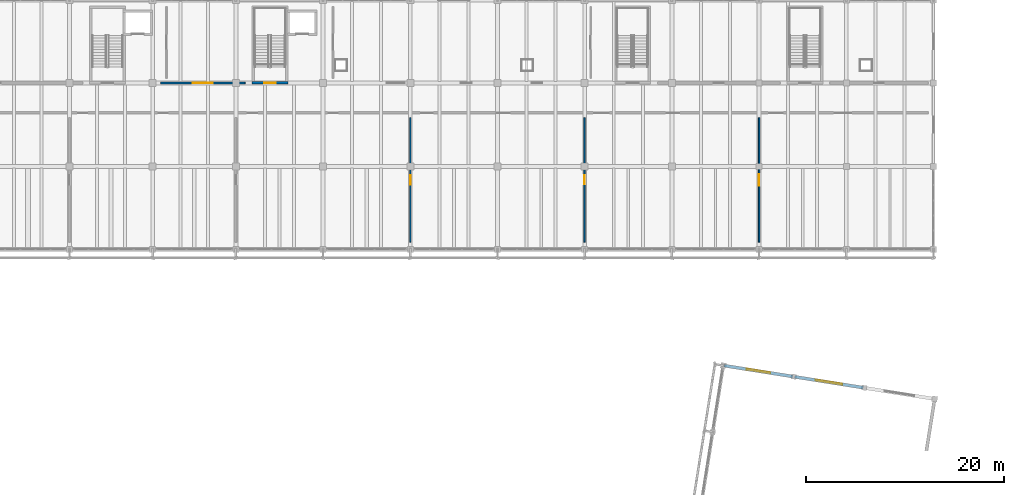
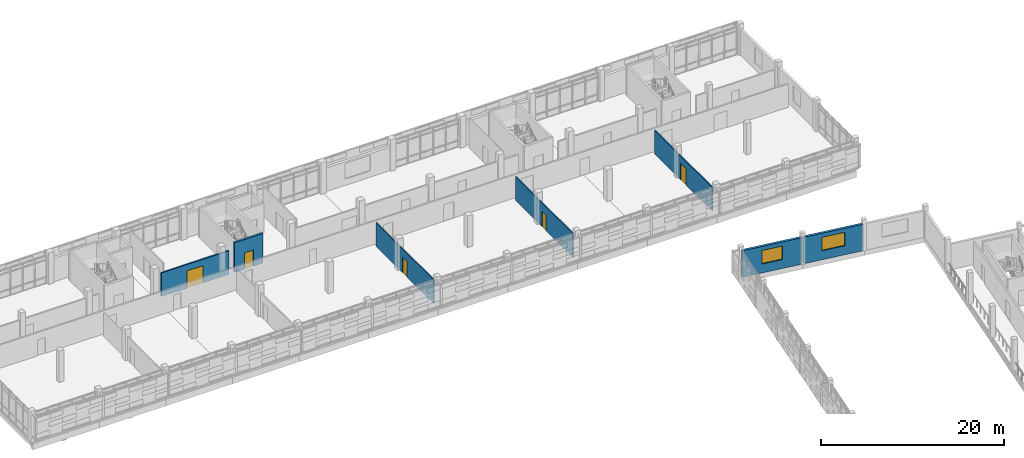
# One storey, part 110 of 137: 7 walls, 5 doors, 2 windows, 7 openings.
"""IFC4 building model written with IfcOpenShell, lengths in metres."""

from ifc_helpers import new_model, si_unit, direction, frame, frame_2d, origin, place, context, subcontext, project, spatial, rectangle, extrude, material, layer, layer_set, type_object, element, fill, save


model = new_model("IFC4")

# Units and contexts
model_context = context("Model", 3, precision=1e-05, world=origin(), true_north=direction((0.0, 1.0)))
body_context = subcontext(model_context, "Body", "Model", "MODEL_VIEW")
ifc_project = project(units=[si_unit("LENGTHUNIT", "METRE"), si_unit("AREAUNIT", "SQUARE_METRE"), si_unit("VOLUMEUNIT", "CUBIC_METRE"), si_unit("PLANEANGLEUNIT", "RADIAN"), si_unit("MASSUNIT", "GRAM", prefix="KILO")], contexts=[model_context])

# Site, building, storey
site_placement = place(None, origin())
site = spatial("IfcSite", under=ifc_project, at=site_placement, CompositionType="ELEMENT")
building_placement = place(site_placement, origin())
building = spatial("IfcBuilding", under=site, at=building_placement, Name="Cinderway Yard Community Centre", CompositionType="ELEMENT")
storey_placement = place(building_placement, frame((0.0, 0.0, 4.800048828125)))
storey = spatial("IfcBuildingStorey", under=building, at=storey_placement, Name="L01", CompositionType="ELEMENT", Elevation=4.800048828125)

# Wall, opening, window
ifc_material_1 = material(Name="Brick Masonry", Category="masonry")
ifc_layer_1 = layer(ifc_material_1, 0.300048828125, Name="Brick Masonry")
ifc_layer_set_1 = layer_set([ifc_layer_1], Name="Brick Masonry")
wall_type_1 = type_object("IfcWallType", Name="ENV-WAL-EXT300", PredefinedType="SOLIDWALL", material=ifc_layer_set_1)
wall_1_placement = place(storey_placement, frame((124.48095703125, 78.281982421875, 0.0), z_axis=(0.0, 0.0, 1.0), x_axis=(0.987690751091, -0.156419245009, 0.0)))
wall_1 = element("IfcWall", 1, at=wall_1_placement, inside=storey, type_object=wall_type_1, Name="Sports North End Wall ENV-WAL-L01-0067", PredefinedType="SOLIDWALL", context=body_context, shape_type="SweptSolid", body=[
    extrude(rectangle(XDim=7.000244140625, YDim=0.300048828125, at=frame_2d((3.5, 0.0))), origin(), (0.0, 0.0, 1.0), 3.534912109375),
])
opening_1_placement = place(wall_1_placement, frame((2.300048828125, 0.0, 1.199951171875)))
opening_1 = element("IfcOpeningElement", 2, at=opening_1_placement, cuts=wall_1, Name="Opening W-10", PredefinedType="OPENING", context=body_context, shape_type="SweptSolid", body=[
    extrude(rectangle(XDim=2.39990234375, YDim=1.800048828125, at=frame_2d((1.199951171875, 0.89990234375))), frame((0.0, 0.159912109375, 0.0), z_axis=(0.0, -1.0, 0.0), x_axis=(1.0, 0.0, 0.0)), (0.0, 0.0, 1.0), 0.320068359375),
])
ifc_material_2 = material(Name="Laminated Low-E Glass", Category="glass")
window_type_1 = type_object("IfcWindowType", Name="ENV-WIN-W10", PartitioningType="TRIPLE_PANEL_VERTICAL", PredefinedType="WINDOW", material=ifc_material_2)
window_1_placement = place(opening_1_placement, origin())
window_1 = element("IfcWindow", 3, at=window_1_placement, inside=storey, type_object=window_type_1, Name="Exterior window ENV-WIN-L01-0047", OverallHeight=1.800048828125, OverallWidth=2.39990234375, PartitioningType="SINGLE_PANEL", PredefinedType="WINDOW", context=body_context, shape_type="SweptSolid", body=[
    extrude(rectangle(XDim=2.39990234375, YDim=1.800048828125, at=frame_2d((1.199951171875, 0.89990234375))), frame((0.0, 0.030029296875, 0.0), z_axis=(0.0, -1.0, 0.0), x_axis=(1.0, 0.0, 0.0)), (0.0, 0.0, 1.0), 0.06005859375),
])
fill(opening_1, window_1)

wall_2_placement = place(storey_placement, frame((131.593017578125, 77.156005859375, 0.0), z_axis=(0.0, 0.0, 1.0), x_axis=(0.987687337136, -0.156440800503, 0.0)))
wall_2 = element("IfcWall", 4, at=wall_2_placement, inside=storey, type_object=wall_type_1, Name="Sports North End Wall ENV-WAL-L01-0068", PredefinedType="SOLIDWALL", context=body_context, shape_type="SweptSolid", body=[
    extrude(rectangle(XDim=6.999267578125, YDim=0.300048828125, at=frame_2d((3.49951171875, 0.0))), origin(), (0.0, 0.0, 1.0), 3.534912109375),
])
opening_2_placement = place(wall_2_placement, frame((2.14990234375, 0.0, 1.199951171875)))
opening_2 = element("IfcOpeningElement", 5, at=opening_2_placement, cuts=wall_2, Name="Opening W-11", PredefinedType="OPENING", context=body_context, shape_type="SweptSolid", body=[
    extrude(rectangle(XDim=2.699951171875, YDim=1.800048828125, at=frame_2d((1.35009765625, 0.89990234375))), frame((0.0, 0.159912109375, 0.0), z_axis=(0.0, -1.0, 0.0), x_axis=(1.0, 0.0, 0.0)), (0.0, 0.0, 1.0), 0.320068359375),
])
window_type_2 = type_object("IfcWindowType", Name="ENV-WIN-W11", PartitioningType="TRIPLE_PANEL_VERTICAL", PredefinedType="WINDOW", material=ifc_material_2)
window_2_placement = place(opening_2_placement, origin())
window_2 = element("IfcWindow", 6, at=window_2_placement, inside=storey, type_object=window_type_2, Name="Exterior window ENV-WIN-L01-0048", OverallHeight=1.800048828125, OverallWidth=2.699951171875, PartitioningType="SINGLE_PANEL", PredefinedType="WINDOW", context=body_context, shape_type="SweptSolid", body=[
    extrude(rectangle(XDim=2.699951171875, YDim=1.800048828125, at=frame_2d((1.35009765625, 0.89990234375))), frame((0.0, 0.030029296875, 0.0), z_axis=(0.0, -1.0, 0.0), x_axis=(1.0, 0.0, 0.0)), (0.0, 0.0, 1.0), 0.06005859375),
])
fill(opening_2, window_2)

# Wall, opening, door
ifc_material_3 = material(Name="Gypsum Board Partition", Category="gypsum")
ifc_layer_2 = layer(ifc_material_3, 0.139892578125, Name="Gypsum Board Partition")
ifc_layer_set_2 = layer_set([ifc_layer_2], Name="Gypsum Board Partition")
wall_type_2 = type_object("IfcWallType", Name="INT-WAL-PRT140", PredefinedType="PARTITIONING", material=ifc_layer_set_2)
wall_3_placement = place(storey_placement, frame((92.800048828125, 90.75, 0.0), z_axis=(0.0, 0.0, 1.0), x_axis=(0.0, 1.0, 0.0)))
wall_3 = element("IfcWall", 7, at=wall_3_placement, inside=storey, type_object=wall_type_2, Name="V4 L01 South Room Partition INT-PRT-L01-0299", PredefinedType="PARTITIONING", context=body_context, shape_type="SweptSolid", body=[
    extrude(rectangle(XDim=12.550048828125, YDim=0.139892578125, at=frame_2d((6.27490234375, 0.0))), origin(), (0.0, 0.0, 1.0), 3.14501953125),
])
opening_3_placement = place(wall_3_placement, frame((5.794921875, 0.0, 0.0)))
opening_3 = element("IfcOpeningElement", 8, at=opening_3_placement, cuts=wall_3, Name="Opening D-09", PredefinedType="OPENING", context=body_context, shape_type="SweptSolid", body=[
    extrude(rectangle(XDim=0.9599609375, YDim=2.080078125, at=frame_2d((0.47998046875, 1.0400390625))), frame((0.0, 0.079833984375, 0.0), z_axis=(0.0, -1.0, 0.0), x_axis=(1.0, 0.0, 0.0)), (0.0, 0.0, 1.0), 0.159912109375),
])
ifc_material_4 = material(Name="Hardwood Timber", Category="wood")
door_type_1 = type_object("IfcDoorType", Name="INT-DOR-SAN096", OperationType="NOTDEFINED", PredefinedType="DOOR", material=ifc_material_4)
door_1_placement = place(opening_3_placement, origin())
door_1 = element("IfcDoor", 9, at=door_1_placement, inside=storey, type_object=door_type_1, Name="Room door INT-DOR-L01-0189", OperationType="SINGLE_SWING_LEFT", OverallHeight=2.080078125, OverallWidth=0.9599609375, PredefinedType="DOOR", context=body_context, shape_type="SweptSolid", body=[
    extrude(rectangle(XDim=0.9599609375, YDim=2.080078125, at=frame_2d((0.47998046875, 1.0400390625))), frame((0.0, 0.02490234375, 0.0), z_axis=(0.0, -1.0, 0.0), x_axis=(1.0, 0.0, 0.0)), (0.0, 0.0, 1.0), 0.050048828125),
])
fill(opening_3, door_1)

wall_4_placement = place(storey_placement, frame((110.39990234375, 90.75, 0.0), z_axis=(0.0, 0.0, 1.0), x_axis=(0.0, 1.0, 0.0)))
wall_4 = element("IfcWall", 10, at=wall_4_placement, inside=storey, type_object=wall_type_2, Name="V4 L01 South Room Partition INT-PRT-L01-0300", PredefinedType="PARTITIONING", context=body_context, shape_type="SweptSolid", body=[
    extrude(rectangle(XDim=12.550048828125, YDim=0.139892578125, at=frame_2d((6.27490234375, 0.0))), origin(), (0.0, 0.0, 1.0), 3.14501953125),
])
opening_4_placement = place(wall_4_placement, frame((5.824951171875, 0.0, 0.0)))
opening_4 = element("IfcOpeningElement", 11, at=opening_4_placement, cuts=wall_4, Name="Opening D-10", PredefinedType="OPENING", context=body_context, shape_type="SweptSolid", body=[
    extrude(rectangle(XDim=0.89990234375, YDim=2.06005859375, at=frame_2d((0.449951171875, 1.030029296875))), frame((0.0, 0.079833984375, 0.0), z_axis=(0.0, -1.0, 0.0), x_axis=(1.0, 0.0, 0.0)), (0.0, 0.0, 1.0), 0.159912109375),
])
door_type_2 = type_object("IfcDoorType", Name="INT-DOR-SAN090", OperationType="NOTDEFINED", PredefinedType="DOOR", material=ifc_material_4)
door_2_placement = place(opening_4_placement, origin())
door_2 = element("IfcDoor", 12, at=door_2_placement, inside=storey, type_object=door_type_2, Name="Room door INT-DOR-L01-0190", OperationType="SINGLE_SWING_RIGHT", OverallHeight=2.06005859375, OverallWidth=0.89990234375, PredefinedType="DOOR", context=body_context, shape_type="SweptSolid", body=[
    extrude(rectangle(XDim=0.89990234375, YDim=2.06005859375, at=frame_2d((0.449951171875, 1.030029296875))), frame((0.0, 0.02490234375, 0.0), z_axis=(0.0, -1.0, 0.0), x_axis=(1.0, 0.0, 0.0)), (0.0, 0.0, 1.0), 0.050048828125),
])
fill(opening_4, door_2)

wall_5_placement = place(storey_placement, frame((128.0, 90.75, 0.0), z_axis=(0.0, 0.0, 1.0), x_axis=(0.0, 1.0, 0.0)))
wall_5 = element("IfcWall", 13, at=wall_5_placement, inside=storey, type_object=wall_type_2, Name="V4 L01 South Room Partition INT-PRT-L01-0301", PredefinedType="PARTITIONING", context=body_context, shape_type="SweptSolid", body=[
    extrude(rectangle(XDim=12.550048828125, YDim=0.139892578125, at=frame_2d((6.27490234375, 0.0))), origin(), (0.0, 0.0, 1.0), 3.14501953125),
])
opening_5_placement = place(wall_5_placement, frame((5.68505859375, 0.0, 0.0)))
opening_5 = element("IfcOpeningElement", 14, at=opening_5_placement, cuts=wall_5, Name="Opening D-11", PredefinedType="OPENING", context=body_context, shape_type="SweptSolid", body=[
    extrude(rectangle(XDim=1.179931640625, YDim=2.179931640625, at=frame_2d((0.58984375, 1.08984375))), frame((0.0, 0.079833984375, 0.0), z_axis=(0.0, -1.0, 0.0), x_axis=(1.0, 0.0, 0.0)), (0.0, 0.0, 1.0), 0.159912109375),
])
ifc_material_5 = material(Name="Painted Galvanised Steel", Category="steel")
door_type_3 = type_object("IfcDoorType", Name="INT-DOR-STR118", OperationType="NOTDEFINED", PredefinedType="DOOR", material=ifc_material_5)
door_3_placement = place(opening_5_placement, origin())
door_3 = element("IfcDoor", 15, at=door_3_placement, inside=storey, type_object=door_type_3, Name="Room door INT-DOR-L01-0191", OperationType="SINGLE_SWING_LEFT", OverallHeight=2.179931640625, OverallWidth=1.179931640625, PredefinedType="DOOR", context=body_context, shape_type="SweptSolid", body=[
    extrude(rectangle(XDim=1.179931640625, YDim=2.179931640625, at=frame_2d((0.58984375, 1.08984375))), frame((0.0, 0.02490234375, 0.0), z_axis=(0.0, -1.0, 0.0), x_axis=(1.0, 0.0, 0.0)), (0.0, 0.0, 1.0), 0.050048828125),
])
fill(opening_5, door_3)

ifc_layer_3 = layer(ifc_material_1, 0.179931640625, Name="Brick Masonry")
ifc_layer_set_3 = layer_set([ifc_layer_3], Name="Brick Masonry")
wall_type_3 = type_object("IfcWallType", Name="INT-WAL-PRT180", PredefinedType="PARTITIONING", material=ifc_layer_set_3)
wall_6_placement = place(storey_placement, frame((67.60009765625, 106.800048828125, 0.0), z_axis=(0.0, 0.0, 1.0), x_axis=(1.0, 0.0, 0.0)))
wall_6 = element("IfcWall", 16, at=wall_6_placement, inside=storey, type_object=wall_type_3, Name="V4 L01 North Corridor Spine INT-PRT-L01-0293", PredefinedType="PARTITIONING", context=body_context, shape_type="SweptSolid", body=[
    extrude(rectangle(XDim=8.52978515625, YDim=0.179931640625, at=frame_2d((4.264892578125, 0.0))), origin(), (0.0, 0.0, 1.0), 3.14501953125),
])
opening_6_placement = place(wall_6_placement, frame((3.264892578125, 0.0, 0.0)))
opening_6 = element("IfcOpeningElement", 17, at=opening_6_placement, cuts=wall_6, Name="Opening D-01", PredefinedType="OPENING", context=body_context, shape_type="SweptSolid", body=[
    extrude(rectangle(XDim=2.0, YDim=2.300048828125, at=frame_2d((1.0, 1.14990234375))), frame((0.0, 0.099853515625, 0.0), z_axis=(0.0, -1.0, 0.0), x_axis=(1.0, 0.0, 0.0)), (0.0, 0.0, 1.0), 0.199951171875),
])
door_type_4 = type_object("IfcDoorType", Name="INT-DOR-HAL200", OperationType="DOUBLE_DOOR_SINGLE_SWING", PredefinedType="DOOR", material=ifc_material_4)
door_4_placement = place(opening_6_placement, origin())
door_4 = element("IfcDoor", 18, at=door_4_placement, inside=storey, type_object=door_type_4, Name="Room door INT-DOR-L01-0181", OperationType="DOUBLE_DOOR_SINGLE_SWING", OverallHeight=2.300048828125, OverallWidth=2.0, PredefinedType="DOOR", context=body_context, shape_type="SweptSolid", body=[
    extrude(rectangle(XDim=2.0, YDim=2.300048828125, at=frame_2d((1.0, 1.14990234375))), frame((0.0, 0.02490234375, 0.0), z_axis=(0.0, -1.0, 0.0), x_axis=(1.0, 0.0, 0.0)), (0.0, 0.0, 1.0), 0.050048828125),
])
fill(opening_6, door_4)

ifc_material_6 = material(Name="Concrete C40/50", Category="concrete")
ifc_layer_4 = layer(ifc_material_6, 0.25, Name="Concrete C40/50")
ifc_layer_set_4 = layer_set([ifc_layer_4], Name="Concrete C40/50")
wall_type_4 = type_object("IfcWallType", Name="INT-WAL-SHR250", PredefinedType="SHEAR", material=ifc_layer_set_4)
wall_7_placement = place(storey_placement, frame((80.445068359375, 106.830078125, 0.0), z_axis=(0.0, 0.0, 1.0), x_axis=(-1.0, 0.0, 0.0)))
wall_7 = element("IfcWall", 19, at=wall_7_placement, inside=storey, type_object=wall_type_4, Name="Stair ST-02 Entry Wall INT-WAL-L01-0047", PredefinedType="SHEAR", context=body_context, shape_type="SweptSolid", body=[
    extrude(rectangle(XDim=3.610107421875, YDim=0.25, at=frame_2d((1.80517578125, 0.0))), origin(), (0.0, 0.0, 1.0), 3.9599609375),
])
opening_7_placement = place(wall_7_placement, frame((1.235107421875, 0.0, 0.0)))
opening_7 = element("IfcOpeningElement", 20, at=opening_7_placement, cuts=wall_7, Name="Opening D-ST2", PredefinedType="OPENING", context=body_context, shape_type="SweptSolid", body=[
    extrude(rectangle(XDim=1.139892578125, YDim=2.14990234375, at=frame_2d((0.56982421875, 1.074951171875))), frame((0.0, 0.135009765625, 0.0), z_axis=(0.0, -1.0, 0.0), x_axis=(1.0, 0.0, 0.0)), (0.0, 0.0, 1.0), 0.27001953125),
])
door_type_5 = type_object("IfcDoorType", Name="INT-DOR-ST114", OperationType="NOTDEFINED", PredefinedType="DOOR", material=ifc_material_5)
door_5_placement = place(opening_7_placement, origin())
door_5 = element("IfcDoor", 21, at=door_5_placement, inside=storey, type_object=door_type_5, Name="Core door INT-DOR-L01-0014", OperationType="SINGLE_SWING_RIGHT", OverallHeight=2.14990234375, OverallWidth=1.139892578125, PredefinedType="DOOR", context=body_context, shape_type="SweptSolid", body=[
    extrude(rectangle(XDim=1.139892578125, YDim=2.14990234375, at=frame_2d((0.56982421875, 1.074951171875))), frame((0.0, 0.02490234375, 0.0), z_axis=(0.0, -1.0, 0.0), x_axis=(1.0, 0.0, 0.0)), (0.0, 0.0, 1.0), 0.050048828125),
])
fill(opening_7, door_5)

save(model, "model.ifc")
